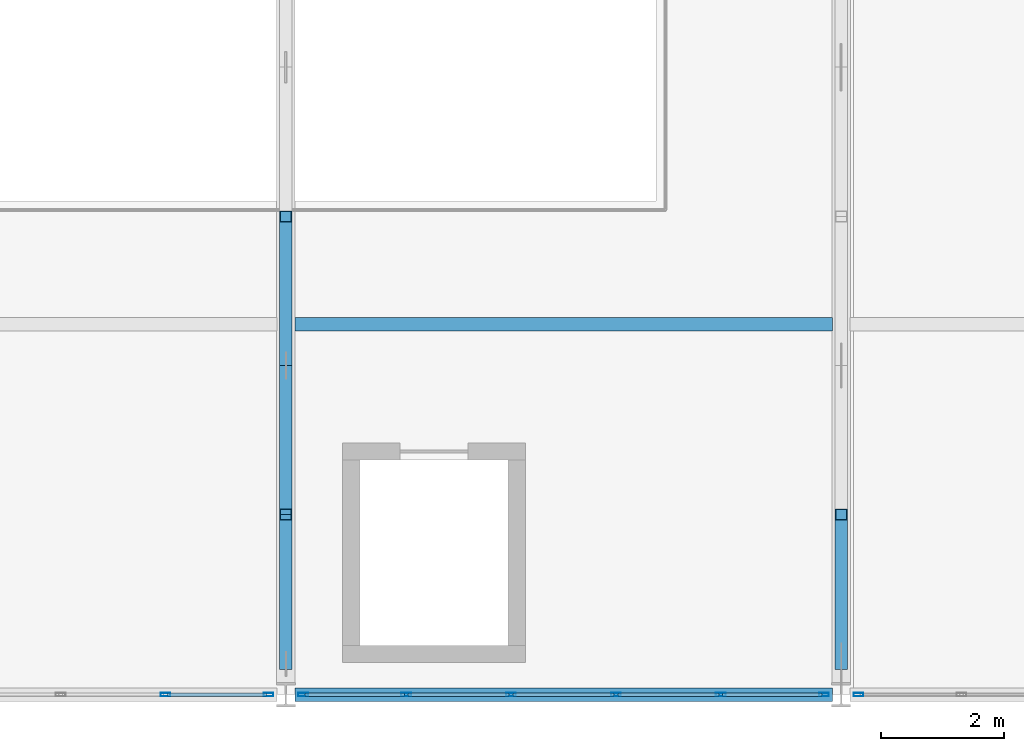
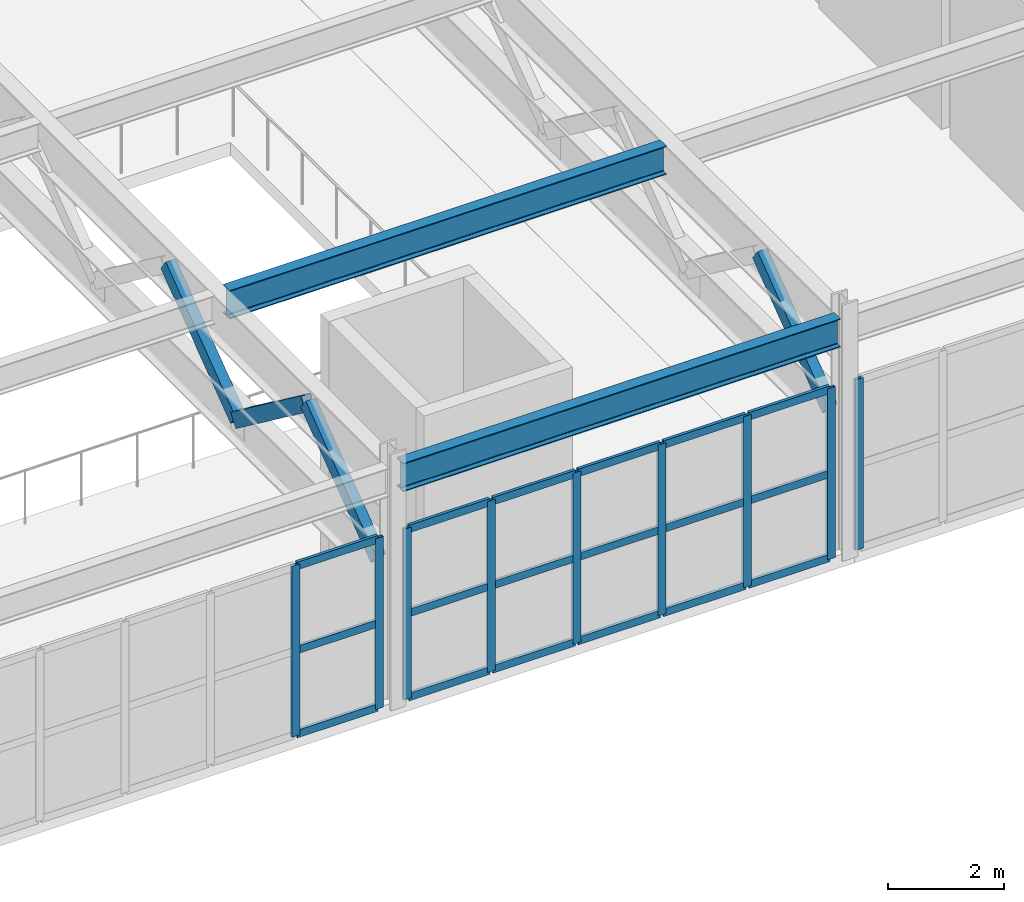
# One storey, part 26 of 210: 31 members, 2 beams, 3 elements without a shape of their own.
"""IFC4 building model written with IfcOpenShell, lengths in metres."""

from ifc_helpers import new_model, si_unit, direction, frame, origin, origin_2d, place, context, subcontext, project, spatial, hollow_rectangle, i_section, extrude, material, material_profile, profile_set, type_object, element, aggregate, save


model = new_model("IFC4")

# Units and contexts
model_context = context("Model", 3, precision=1e-05, world=origin(), true_north=direction((0.0, 1.0)))
body_context = subcontext(model_context, "Body", "Model", "MODEL_VIEW")
ifc_project = project(units=[si_unit("LENGTHUNIT", "METRE"), si_unit("AREAUNIT", "SQUARE_METRE"), si_unit("VOLUMEUNIT", "CUBIC_METRE"), si_unit("PLANEANGLEUNIT", "RADIAN"), si_unit("MASSUNIT", "GRAM", prefix="KILO")], contexts=[model_context])

# Site, building, storey
site_placement = place(None, origin())
site = spatial("IfcSite", under=ifc_project, at=site_placement, CompositionType="ELEMENT")
building_placement = place(site_placement, origin())
building = spatial("IfcBuilding", under=site, at=building_placement, Name="Kaldris Quays Convention Centre", CompositionType="ELEMENT")
storey_placement = place(building_placement, frame((0.0, 0.0, 6.0)))
storey = spatial("IfcBuildingStorey", under=building, at=storey_placement, Name="L01", CompositionType="ELEMENT", Elevation=6.0)

# Curtain wall, members
ifc_material_1 = material(Name="Anodized aluminium AW-6060 and triple glazing", Category="aluminium")
curtain_wall_type = type_object("IfcCurtainWallType", Name="UNITISED CURTAIN WALL CW05", PredefinedType="NOTDEFINED", material=ifc_material_1)
curtain_wall_1_placement = place(storey_placement, origin())
curtain_wall_1 = element("IfcCurtainWall", 1, at=curtain_wall_1_placement, inside=storey, type_object=curtain_wall_type, Name="L01 Unitised Curtain Wall CW05 61", PredefinedType="NOTDEFINED")
ifc_material_2 = material(Name="Anodized aluminium AW-6060", Category="aluminium")
ifc_material_profile_1 = material_profile(ifc_material_2, hollow_rectangle(XDim=0.06005859375, YDim=0.159912109375, WallThickness=0.00390625, at=origin_2d()), Name="RHS 160x60x4")
ifc_profile_set_1 = profile_set([ifc_material_profile_1], Name="Anodized aluminium AW-6060")
member_type_1 = type_object("IfcMemberType", Name="CURTAIN MULLION CWM1", PredefinedType="MULLION", material=ifc_profile_set_1)
member_1_placement = place(storey_placement, frame((36.050048828125, 16.0, 0.0), z_axis=(0.0, 0.0, 1.0), x_axis=(0.0, 1.0, 0.0)))
member_1 = element("IfcMember", 2, at=member_1_placement, type_object=member_type_1, Name="CW05 mullion 5", PredefinedType="MULLION", context=body_context, shape_type="SweptSolid", body=[
    extrude(hollow_rectangle(XDim=0.06005859375, YDim=0.159912109375, WallThickness=0.00390625, at=origin_2d()), origin(), (0.0, 0.0, 1.0), 3.60009765625),
])
member_2_placement = place(storey_placement, frame((37.719970703125, 16.0, 0.0), z_axis=(0.0, 0.0, 1.0), x_axis=(0.0, 1.0, 0.0)))
member_2 = element("IfcMember", 3, at=member_2_placement, type_object=member_type_1, Name="CW05 mullion 6", PredefinedType="MULLION", context=body_context, shape_type="SweptSolid", body=[
    extrude(hollow_rectangle(XDim=0.06005859375, YDim=0.159912109375, WallThickness=0.00390625, at=origin_2d()), origin(), (0.0, 0.0, 1.0), 3.60009765625),
])

curtain_wall_2_placement = place(storey_placement, origin())
curtain_wall_2 = element("IfcCurtainWall", 4, at=curtain_wall_2_placement, inside=storey, type_object=curtain_wall_type, Name="L01 Unitised Curtain Wall CW05 63", PredefinedType="NOTDEFINED")
member_3_placement = place(storey_placement, frame((38.280029296875, 16.0, 0.0), z_axis=(0.0, 0.0, 1.0), x_axis=(0.0, 1.0, 0.0)))
member_3 = element("IfcMember", 5, at=member_3_placement, type_object=member_type_1, Name="CW05 mullion 1", PredefinedType="MULLION", context=body_context, shape_type="SweptSolid", body=[
    extrude(hollow_rectangle(XDim=0.06005859375, YDim=0.159912109375, WallThickness=0.00390625, at=origin_2d()), origin(), (0.0, 0.0, 1.0), 3.60009765625),
])
member_4_placement = place(storey_placement, frame((39.949951171875, 16.0, 0.0), z_axis=(0.0, 0.0, 1.0), x_axis=(0.0, 1.0, 0.0)))
member_4 = element("IfcMember", 6, at=member_4_placement, type_object=member_type_1, Name="CW05 mullion 2", PredefinedType="MULLION", context=body_context, shape_type="SweptSolid", body=[
    extrude(hollow_rectangle(XDim=0.06005859375, YDim=0.159912109375, WallThickness=0.00390625, at=origin_2d()), origin(), (0.0, 0.0, 1.0), 3.60009765625),
])
member_5_placement = place(storey_placement, frame((41.64990234375, 16.0, 0.0), z_axis=(0.0, 0.0, 1.0), x_axis=(0.0, 1.0, 0.0)))
member_5 = element("IfcMember", 7, at=member_5_placement, type_object=member_type_1, Name="CW05 mullion 3", PredefinedType="MULLION", context=body_context, shape_type="SweptSolid", body=[
    extrude(hollow_rectangle(XDim=0.06005859375, YDim=0.159912109375, WallThickness=0.00390625, at=origin_2d()), origin(), (0.0, 0.0, 1.0), 3.60009765625),
])
member_6_placement = place(storey_placement, frame((43.35009765625, 16.0, 0.0), z_axis=(0.0, 0.0, 1.0), x_axis=(0.0, 1.0, 0.0)))
member_6 = element("IfcMember", 8, at=member_6_placement, type_object=member_type_1, Name="CW05 mullion 4", PredefinedType="MULLION", context=body_context, shape_type="SweptSolid", body=[
    extrude(hollow_rectangle(XDim=0.06005859375, YDim=0.159912109375, WallThickness=0.00390625, at=origin_2d()), origin(), (0.0, 0.0, 1.0), 3.60009765625),
])
member_7_placement = place(storey_placement, frame((45.050048828125, 16.0, 0.0), z_axis=(0.0, 0.0, 1.0), x_axis=(0.0, 1.0, 0.0)))
member_7 = element("IfcMember", 9, at=member_7_placement, type_object=member_type_1, Name="CW05 mullion 5", PredefinedType="MULLION", context=body_context, shape_type="SweptSolid", body=[
    extrude(hollow_rectangle(XDim=0.06005859375, YDim=0.159912109375, WallThickness=0.00390625, at=origin_2d()), origin(), (0.0, 0.0, 1.0), 3.60009765625),
])
member_8_placement = place(storey_placement, frame((46.719970703125, 16.0, 0.0), z_axis=(0.0, 0.0, 1.0), x_axis=(0.0, 1.0, 0.0)))
member_8 = element("IfcMember", 10, at=member_8_placement, type_object=member_type_1, Name="CW05 mullion 6", PredefinedType="MULLION", context=body_context, shape_type="SweptSolid", body=[
    extrude(hollow_rectangle(XDim=0.06005859375, YDim=0.159912109375, WallThickness=0.00390625, at=origin_2d()), origin(), (0.0, 0.0, 1.0), 3.60009765625),
])

# Curtain wall, member
curtain_wall_3_placement = place(storey_placement, origin())
curtain_wall_3 = element("IfcCurtainWall", 11, at=curtain_wall_3_placement, inside=storey, type_object=curtain_wall_type, Name="L01 Unitised Curtain Wall CW05 65", PredefinedType="NOTDEFINED")
member_9_placement = place(storey_placement, frame((47.280029296875, 16.0, 0.0), z_axis=(0.0, 0.0, 1.0), x_axis=(0.0, 1.0, 0.0)))
member_9 = element("IfcMember", 12, at=member_9_placement, type_object=member_type_1, Name="CW05 mullion 1", PredefinedType="MULLION", context=body_context, shape_type="SweptSolid", body=[
    extrude(hollow_rectangle(XDim=0.06005859375, YDim=0.159912109375, WallThickness=0.00390625, at=origin_2d()), origin(), (0.0, 0.0, 1.0), 3.60009765625),
])
aggregate(curtain_wall_3, [member_9])

# Member
ifc_material_profile_2 = material_profile(ifc_material_2, hollow_rectangle(XDim=0.06005859375, YDim=0.159912109375, WallThickness=0.00390625, at=origin_2d()), Name="RHS 160x60x4")
ifc_profile_set_2 = profile_set([ifc_material_profile_2], Name="Anodized aluminium AW-6060")
member_type_2 = type_object("IfcMemberType", Name="CURTAIN TRANSOM CWT2", PredefinedType="USERDEFINED", material=ifc_profile_set_2)
member_10_placement = place(storey_placement, frame((36.080078125, 16.0, 0.030029296875), z_axis=(1.0, 0.0, 0.0), x_axis=(0.0, 1.0, 0.0)))
member_10 = element("IfcMember", 13, at=member_10_placement, type_object=member_type_2, Name="CW05 transom 5.1", ObjectType="TRANSOM", PredefinedType="USERDEFINED", context=body_context, shape_type="SweptSolid", body=[
    extrude(hollow_rectangle(XDim=0.06005859375, YDim=0.159912109375, WallThickness=0.00390625, at=origin_2d()), origin(), (0.0, 0.0, 1.0), 1.60986328125),
])

member_11_placement = place(storey_placement, frame((36.080078125, 16.0, 1.800048828125), z_axis=(1.0, 0.0, 0.0), x_axis=(0.0, 1.0, 0.0)))
member_11 = element("IfcMember", 14, at=member_11_placement, type_object=member_type_2, Name="CW05 transom 5.2", ObjectType="TRANSOM", PredefinedType="USERDEFINED", context=body_context, shape_type="SweptSolid", body=[
    extrude(hollow_rectangle(XDim=0.06005859375, YDim=0.159912109375, WallThickness=0.00390625, at=origin_2d()), origin(), (0.0, 0.0, 1.0), 1.60986328125),
])

member_12_placement = place(storey_placement, frame((36.080078125, 16.0, 3.570068359375), z_axis=(1.0, 0.0, 0.0), x_axis=(0.0, 1.0, 0.0)))
member_12 = element("IfcMember", 15, at=member_12_placement, type_object=member_type_2, Name="CW05 transom 5.3", ObjectType="TRANSOM", PredefinedType="USERDEFINED", context=body_context, shape_type="SweptSolid", body=[
    extrude(hollow_rectangle(XDim=0.06005859375, YDim=0.159912109375, WallThickness=0.00390625, at=origin_2d()), origin(), (0.0, 0.0, 1.0), 1.60986328125),
])

aggregate(curtain_wall_1, [member_1, member_2, member_10, member_11, member_12])

member_13_placement = place(storey_placement, frame((38.31005859375, 16.0, 0.030029296875), z_axis=(1.0, 0.0, 0.0), x_axis=(0.0, 1.0, 0.0)))
member_13 = element("IfcMember", 16, at=member_13_placement, type_object=member_type_2, Name="CW05 transom 1.1", ObjectType="TRANSOM", PredefinedType="USERDEFINED", context=body_context, shape_type="SweptSolid", body=[
    extrude(hollow_rectangle(XDim=0.06005859375, YDim=0.159912109375, WallThickness=0.00390625, at=origin_2d()), origin(), (0.0, 0.0, 1.0), 1.60986328125),
])

member_14_placement = place(storey_placement, frame((38.31005859375, 16.0, 1.800048828125), z_axis=(1.0, 0.0, 0.0), x_axis=(0.0, 1.0, 0.0)))
member_14 = element("IfcMember", 17, at=member_14_placement, type_object=member_type_2, Name="CW05 transom 1.2", ObjectType="TRANSOM", PredefinedType="USERDEFINED", context=body_context, shape_type="SweptSolid", body=[
    extrude(hollow_rectangle(XDim=0.06005859375, YDim=0.159912109375, WallThickness=0.00390625, at=origin_2d()), origin(), (0.0, 0.0, 1.0), 1.60986328125),
])

member_15_placement = place(storey_placement, frame((38.31005859375, 16.0, 3.570068359375), z_axis=(1.0, 0.0, 0.0), x_axis=(0.0, 1.0, 0.0)))
member_15 = element("IfcMember", 18, at=member_15_placement, type_object=member_type_2, Name="CW05 transom 1.3", ObjectType="TRANSOM", PredefinedType="USERDEFINED", context=body_context, shape_type="SweptSolid", body=[
    extrude(hollow_rectangle(XDim=0.06005859375, YDim=0.159912109375, WallThickness=0.00390625, at=origin_2d()), origin(), (0.0, 0.0, 1.0), 1.60986328125),
])

member_16_placement = place(storey_placement, frame((39.97998046875, 16.0, 0.030029296875), z_axis=(1.0, 0.0, 0.0), x_axis=(0.0, 1.0, 0.0)))
member_16 = element("IfcMember", 19, at=member_16_placement, type_object=member_type_2, Name="CW05 transom 2.1", ObjectType="TRANSOM", PredefinedType="USERDEFINED", context=body_context, shape_type="SweptSolid", body=[
    extrude(hollow_rectangle(XDim=0.06005859375, YDim=0.159912109375, WallThickness=0.00390625, at=origin_2d()), origin(), (0.0, 0.0, 1.0), 1.64013671875),
])

member_17_placement = place(storey_placement, frame((39.97998046875, 16.0, 1.800048828125), z_axis=(1.0, 0.0, 0.0), x_axis=(0.0, 1.0, 0.0)))
member_17 = element("IfcMember", 20, at=member_17_placement, type_object=member_type_2, Name="CW05 transom 2.2", ObjectType="TRANSOM", PredefinedType="USERDEFINED", context=body_context, shape_type="SweptSolid", body=[
    extrude(hollow_rectangle(XDim=0.06005859375, YDim=0.159912109375, WallThickness=0.00390625, at=origin_2d()), origin(), (0.0, 0.0, 1.0), 1.64013671875),
])

member_18_placement = place(storey_placement, frame((39.97998046875, 16.0, 3.570068359375), z_axis=(1.0, 0.0, 0.0), x_axis=(0.0, 1.0, 0.0)))
member_18 = element("IfcMember", 21, at=member_18_placement, type_object=member_type_2, Name="CW05 transom 2.3", ObjectType="TRANSOM", PredefinedType="USERDEFINED", context=body_context, shape_type="SweptSolid", body=[
    extrude(hollow_rectangle(XDim=0.06005859375, YDim=0.159912109375, WallThickness=0.00390625, at=origin_2d()), origin(), (0.0, 0.0, 1.0), 1.64013671875),
])

member_19_placement = place(storey_placement, frame((41.679931640625, 16.0, 0.030029296875), z_axis=(1.0, 0.0, 0.0), x_axis=(0.0, 1.0, 0.0)))
member_19 = element("IfcMember", 22, at=member_19_placement, type_object=member_type_2, Name="CW05 transom 3.1", ObjectType="TRANSOM", PredefinedType="USERDEFINED", context=body_context, shape_type="SweptSolid", body=[
    extrude(hollow_rectangle(XDim=0.06005859375, YDim=0.159912109375, WallThickness=0.00390625, at=origin_2d()), origin(), (0.0, 0.0, 1.0), 1.64013671875),
])

member_20_placement = place(storey_placement, frame((41.679931640625, 16.0, 1.800048828125), z_axis=(1.0, 0.0, 0.0), x_axis=(0.0, 1.0, 0.0)))
member_20 = element("IfcMember", 23, at=member_20_placement, type_object=member_type_2, Name="CW05 transom 3.2", ObjectType="TRANSOM", PredefinedType="USERDEFINED", context=body_context, shape_type="SweptSolid", body=[
    extrude(hollow_rectangle(XDim=0.06005859375, YDim=0.159912109375, WallThickness=0.00390625, at=origin_2d()), origin(), (0.0, 0.0, 1.0), 1.64013671875),
])

member_21_placement = place(storey_placement, frame((41.679931640625, 16.0, 3.570068359375), z_axis=(1.0, 0.0, 0.0), x_axis=(0.0, 1.0, 0.0)))
member_21 = element("IfcMember", 24, at=member_21_placement, type_object=member_type_2, Name="CW05 transom 3.3", ObjectType="TRANSOM", PredefinedType="USERDEFINED", context=body_context, shape_type="SweptSolid", body=[
    extrude(hollow_rectangle(XDim=0.06005859375, YDim=0.159912109375, WallThickness=0.00390625, at=origin_2d()), origin(), (0.0, 0.0, 1.0), 1.64013671875),
])

member_22_placement = place(storey_placement, frame((43.3798828125, 16.0, 0.030029296875), z_axis=(1.0, 0.0, 0.0), x_axis=(0.0, 1.0, 0.0)))
member_22 = element("IfcMember", 25, at=member_22_placement, type_object=member_type_2, Name="CW05 transom 4.1", ObjectType="TRANSOM", PredefinedType="USERDEFINED", context=body_context, shape_type="SweptSolid", body=[
    extrude(hollow_rectangle(XDim=0.06005859375, YDim=0.159912109375, WallThickness=0.00390625, at=origin_2d()), origin(), (0.0, 0.0, 1.0), 1.64013671875),
])

member_23_placement = place(storey_placement, frame((43.3798828125, 16.0, 1.800048828125), z_axis=(1.0, 0.0, 0.0), x_axis=(0.0, 1.0, 0.0)))
member_23 = element("IfcMember", 26, at=member_23_placement, type_object=member_type_2, Name="CW05 transom 4.2", ObjectType="TRANSOM", PredefinedType="USERDEFINED", context=body_context, shape_type="SweptSolid", body=[
    extrude(hollow_rectangle(XDim=0.06005859375, YDim=0.159912109375, WallThickness=0.00390625, at=origin_2d()), origin(), (0.0, 0.0, 1.0), 1.64013671875),
])

member_24_placement = place(storey_placement, frame((43.3798828125, 16.0, 3.570068359375), z_axis=(1.0, 0.0, 0.0), x_axis=(0.0, 1.0, 0.0)))
member_24 = element("IfcMember", 27, at=member_24_placement, type_object=member_type_2, Name="CW05 transom 4.3", ObjectType="TRANSOM", PredefinedType="USERDEFINED", context=body_context, shape_type="SweptSolid", body=[
    extrude(hollow_rectangle(XDim=0.06005859375, YDim=0.159912109375, WallThickness=0.00390625, at=origin_2d()), origin(), (0.0, 0.0, 1.0), 1.64013671875),
])

member_25_placement = place(storey_placement, frame((45.080078125, 16.0, 0.030029296875), z_axis=(1.0, 0.0, 0.0), x_axis=(0.0, 1.0, 0.0)))
member_25 = element("IfcMember", 28, at=member_25_placement, type_object=member_type_2, Name="CW05 transom 5.1", ObjectType="TRANSOM", PredefinedType="USERDEFINED", context=body_context, shape_type="SweptSolid", body=[
    extrude(hollow_rectangle(XDim=0.06005859375, YDim=0.159912109375, WallThickness=0.00390625, at=origin_2d()), origin(), (0.0, 0.0, 1.0), 1.60986328125),
])

member_26_placement = place(storey_placement, frame((45.080078125, 16.0, 1.800048828125), z_axis=(1.0, 0.0, 0.0), x_axis=(0.0, 1.0, 0.0)))
member_26 = element("IfcMember", 29, at=member_26_placement, type_object=member_type_2, Name="CW05 transom 5.2", ObjectType="TRANSOM", PredefinedType="USERDEFINED", context=body_context, shape_type="SweptSolid", body=[
    extrude(hollow_rectangle(XDim=0.06005859375, YDim=0.159912109375, WallThickness=0.00390625, at=origin_2d()), origin(), (0.0, 0.0, 1.0), 1.60986328125),
])

member_27_placement = place(storey_placement, frame((45.080078125, 16.0, 3.570068359375), z_axis=(1.0, 0.0, 0.0), x_axis=(0.0, 1.0, 0.0)))
member_27 = element("IfcMember", 30, at=member_27_placement, type_object=member_type_2, Name="CW05 transom 5.3", ObjectType="TRANSOM", PredefinedType="USERDEFINED", context=body_context, shape_type="SweptSolid", body=[
    extrude(hollow_rectangle(XDim=0.06005859375, YDim=0.159912109375, WallThickness=0.00390625, at=origin_2d()), origin(), (0.0, 0.0, 1.0), 1.60986328125),
])

aggregate(curtain_wall_2, [member_3, member_4, member_5, member_6, member_7, member_8, member_13, member_14, member_15, member_16, member_17, member_18, member_19, member_20, member_21, member_22, member_23, member_24, member_25, member_26, member_27])

# Beams
ifc_material_3 = material(Name="Steel S355J2", Category="steel")
ifc_material_profile_3 = material_profile(ifc_material_3, i_section(OverallWidth=0.219970703125, OverallDepth=0.60009765625, WebThickness=0.011962890625, FlangeThickness=0.01904296875, FilletRadius=0.02392578125, at=origin_2d()), Name="IPE 600")
ifc_profile_set_3 = profile_set([ifc_material_profile_3], Name="Steel S355J2")
beam_type = type_object("IfcBeamType", Name="STRUCTURAL BEAM BM10", PredefinedType="BEAM", material=ifc_profile_set_3)
for number, where, z_axis, x_axis, name in (
    (31, (38.14501953125, 16.0, 4.758056640625), (1.0, 0.0, 0.0), (0.0, 1.0, 0.0), "L01 Ballroom Tie Beam BM10"),
    (32, (38.14501953125, 22.0, 4.758056640625), (1.0, 0.0, 0.0), (0.0, 1.0, 0.0), "L01 Ballroom Tie Beam BM10"),
):
    element("IfcBeam", number, at=place(storey_placement, frame(where, z_axis=z_axis, x_axis=x_axis)), inside=storey, type_object=beam_type, Name=name, PredefinedType="BEAM", context=body_context, shape_type="SweptSolid", body=[
        extrude(i_section(OverallWidth=0.219970703125, OverallDepth=0.60009765625, WebThickness=0.011962890625, FlangeThickness=0.01904296875, FilletRadius=0.02392578125, at=origin_2d()), origin(), (0.0, 0.0, 1.0), 8.7099609375),
    ])

# Members
ifc_material_4 = material(Name="Steel S355J2H", Category="steel")
ifc_material_profile_4 = material_profile(ifc_material_4, hollow_rectangle(XDim=0.199951171875, YDim=0.300048828125, WallThickness=0.012451171875, at=origin_2d()), Name="RHS 300x200x12.5")
ifc_profile_set_4 = profile_set([ifc_material_profile_4], Name="Steel S355J2H")
member_type_3 = type_object("IfcMemberType", Name="STRUCTURAL MEMBER TTD1", PredefinedType="BRACE", material=ifc_profile_set_4)
member_28_placement = place(storey_placement, frame((38.0, 16.5, 2.75), z_axis=(0.0, 0.800708018983, 0.599054812464), x_axis=(-1.0, 0.0, 0.0)))
element("IfcMember", 33, at=member_28_placement, inside=storey, type_object=member_type_3, Name="Transfer Truss TT03 Diagonal 1", PredefinedType="BRACE", context=body_context, shape_type="SweptSolid", body=[
    extrude(hollow_rectangle(XDim=0.199951171875, YDim=0.300048828125, WallThickness=0.012451171875, at=origin_2d()), origin(), (0.0, 0.0, 1.0), 3.018310546875),
])
member_29_placement = place(storey_placement, frame((38.0, 21.333251953125, 2.75), z_axis=(0.0, -0.800678988238, 0.599093613548), x_axis=(1.0, 0.0, 0.0)))
element("IfcMember", 34, at=member_29_placement, inside=storey, type_object=member_type_3, Name="Transfer Truss TT03 Diagonal 2", PredefinedType="BRACE", context=body_context, shape_type="SweptSolid", body=[
    extrude(hollow_rectangle(XDim=0.199951171875, YDim=0.300048828125, WallThickness=0.012451171875, at=origin_2d()), origin(), (0.0, 0.0, 1.0), 3.01806640625),
])
for number, where, z_axis, x_axis, name in (
    (35, (38.0, 21.333251953125, 2.75), (0.0, 0.800708018983, 0.599054812464), (-1.0, 0.0, 0.0), "Transfer Truss TT03 Diagonal 3"),
    (36, (47.0, 16.5, 2.75), (0.0, 0.800708018983, 0.599054812464), (-1.0, 0.0, 0.0), "Transfer Truss TT04 Diagonal 1"),
):
    element("IfcMember", number, at=place(storey_placement, frame(where, z_axis=z_axis, x_axis=x_axis)), inside=storey, type_object=member_type_3, Name=name, PredefinedType="BRACE", context=body_context, shape_type="SweptSolid", body=[
        extrude(hollow_rectangle(XDim=0.199951171875, YDim=0.300048828125, WallThickness=0.012451171875, at=origin_2d()), origin(), (0.0, 0.0, 1.0), 3.018310546875),
    ])

save(model, "model.ifc")
